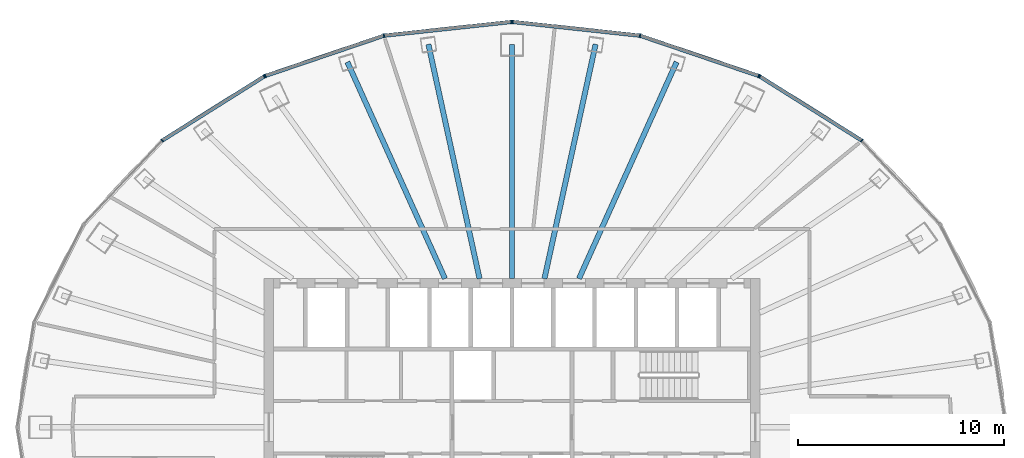
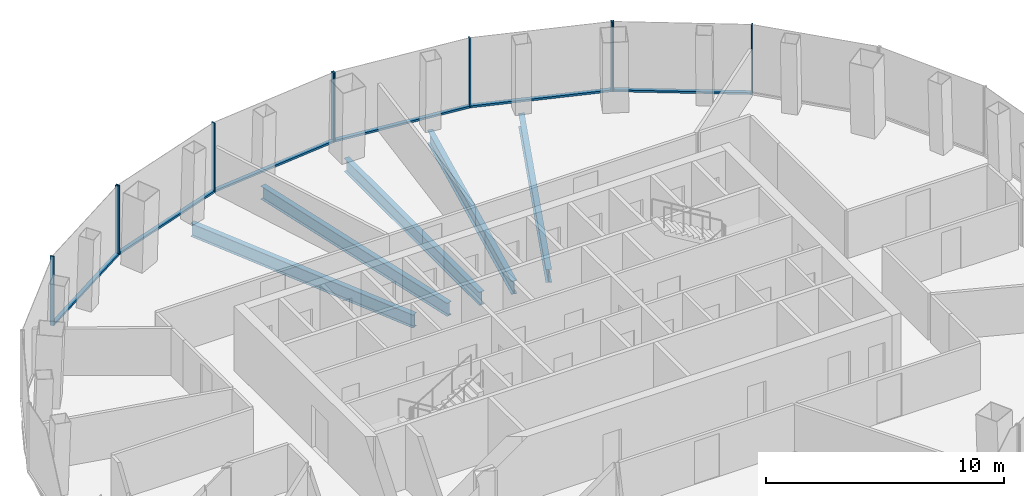
# One storey, part 5 of 10: 16 members, 5 beams, 4 elements without a shape of their own.
"""IFC4 building model written with IfcOpenShell, lengths in metres."""

from ifc_helpers import new_model, si_unit, direction, frame, origin, origin_2d, place, context, subcontext, project, spatial, rectangle, i_section, extrude, material, layer, layer_set, material_profile, profile_set, type_object, element, aggregate, save


model = new_model("IFC4")

# Units and contexts
model_context = context("Model", 3, precision=1e-05, world=origin(), true_north=direction((0.0, 1.0)))
body_context = subcontext(model_context, "Body", "Model", "MODEL_VIEW")
ifc_project = project(units=[si_unit("LENGTHUNIT", "METRE"), si_unit("AREAUNIT", "SQUARE_METRE"), si_unit("VOLUMEUNIT", "CUBIC_METRE"), si_unit("PLANEANGLEUNIT", "RADIAN"), si_unit("MASSUNIT", "GRAM", prefix="KILO")], contexts=[model_context])

# Site, building, storey
site_placement = place(None, origin())
site = spatial("IfcSite", under=ifc_project, at=site_placement, CompositionType="ELEMENT")
building_placement = place(site_placement, origin())
building = spatial("IfcBuilding", under=site, at=building_placement, Name="Siaravel Broadcast Tower", CompositionType="ELEMENT")
storey_placement = place(building_placement, frame((0.0, 0.0, 160.800048828125)))
storey = spatial("IfcBuildingStorey", under=building, at=storey_placement, Name="L38", CompositionType="ELEMENT", Elevation=160.800048828125)

# Beams
ifc_material_1 = material(Name="Steel S355", Category="steel")
ifc_material_profile_1 = material_profile(ifc_material_1, i_section(OverallWidth=0.2529296875, OverallDepth=0.677978515625, WebThickness=0.01171875, FlangeThickness=0.01611328125, FilletRadius=0.01513671875, at=origin_2d()))
ifc_profile_set_1 = profile_set([ifc_material_profile_1], Name="Steel S355")
beam_type = type_object("IfcBeamType", Name="BM-UB 686x254x125", PredefinedType="BEAM", material=ifc_profile_set_1)
beam_1_placement = place(storey_placement, frame((7.971923828125, 17.688720703125, -0.489013671875), z_axis=(-0.410878148, -0.911690269, 0.0), x_axis=(0.911690269, -0.410878148, 0.0)))
element("IfcBeam", 1, at=beam_1_placement, inside=storey, type_object=beam_type, Name="Radial beam RB08", PredefinedType="BEAM", context=body_context, shape_type="SweptSolid", body=[
    extrude(i_section(OverallWidth=0.2529296875, OverallDepth=0.677978515625, WebThickness=0.01171875, FlangeThickness=0.01611328125, FilletRadius=0.01513671875, at=origin_2d()), origin(), (0.0, 0.0, 1.0), 11.504638671875),
])
beam_2_placement = place(storey_placement, frame((4.04931640625, 18.549560546875, -0.489013671875), z_axis=(-0.213270662, -0.976993155, 0.0), x_axis=(0.976993155, -0.213270662, 0.0)))
element("IfcBeam", 2, at=beam_2_placement, inside=storey, type_object=beam_type, Name="Radial beam RB09", PredefinedType="BEAM", context=body_context, shape_type="SweptSolid", body=[
    extrude(i_section(OverallWidth=0.2529296875, OverallDepth=0.677978515625, WebThickness=0.01171875, FlangeThickness=0.01611328125, FilletRadius=0.01513671875, at=origin_2d()), origin(), (0.0, 0.0, 1.0), 11.616943359375),
])
beam_3_placement = place(storey_placement, frame((0.0, 18.539794921875, -0.489013671875), z_axis=(0.0, -1.0, 0.0), x_axis=(1.0, 0.0, 0.0)))
element("IfcBeam", 3, at=beam_3_placement, inside=storey, type_object=beam_type, Name="Radial beam RB10", PredefinedType="BEAM", context=body_context, shape_type="SweptSolid", body=[
    extrude(i_section(OverallWidth=0.2529296875, OverallDepth=0.677978515625, WebThickness=0.01171875, FlangeThickness=0.01611328125, FilletRadius=0.01513671875, at=origin_2d()), origin(), (0.0, 0.0, 1.0), 11.33984375),
])
beam_4_placement = place(storey_placement, frame((-4.04931640625, 18.549560546875, -0.489013671875), z_axis=(0.213270662, -0.976993155, 0.0), x_axis=(0.976993155, 0.213270662, 0.0)))
element("IfcBeam", 4, at=beam_4_placement, inside=storey, type_object=beam_type, Name="Radial beam RB11", PredefinedType="BEAM", context=body_context, shape_type="SweptSolid", body=[
    extrude(i_section(OverallWidth=0.2529296875, OverallDepth=0.677978515625, WebThickness=0.01171875, FlangeThickness=0.01611328125, FilletRadius=0.01513671875, at=origin_2d()), origin(), (0.0, 0.0, 1.0), 11.616943359375),
])
beam_5_placement = place(storey_placement, frame((-7.971923828125, 17.688720703125, -0.489013671875), z_axis=(0.410878148, -0.911690269, 0.0), x_axis=(0.911690269, 0.410878148, 0.0)))
element("IfcBeam", 5, at=beam_5_placement, inside=storey, type_object=beam_type, Name="Radial beam RB12", PredefinedType="BEAM", context=body_context, shape_type="SweptSolid", body=[
    extrude(i_section(OverallWidth=0.2529296875, OverallDepth=0.677978515625, WebThickness=0.01171875, FlangeThickness=0.01611328125, FilletRadius=0.01513671875, at=origin_2d()), origin(), (0.0, 0.0, 1.0), 11.504638671875),
])

# Curtain wall, members
ifc_material_2 = material(Name="Aluminium 6063-T6", Category="aluminium")
ifc_layer = layer(ifc_material_2, 0.179931640625)
ifc_layer_set = layer_set([ifc_layer], Name="Aluminium 6063-T6")
curtain_wall_type = type_object("IfcCurtainWallType", Name="Unitised curtain wall, zone 3", PredefinedType="NOTDEFINED", material=ifc_layer_set)
curtain_wall_1_placement = place(storey_placement, origin())
curtain_wall_1 = element("IfcCurtainWall", 6, at=curtain_wall_1_placement, inside=storey, type_object=curtain_wall_type, Name="L38 Unitised curtain wall, zone 3 02", PredefinedType="NOTDEFINED")
ifc_material_profile_2 = material_profile(ifc_material_2, rectangle(XDim=0.179931640625, YDim=0.06005859375, at=origin_2d()))
ifc_profile_set_2 = profile_set([ifc_material_profile_2], Name="Aluminium 6063-T6")
member_type_1 = type_object("IfcMemberType", Name="CW-Z3 mullion", PredefinedType="MULLION", material=ifc_profile_set_2)
member_1_placement = place(storey_placement, frame((16.940673828125, 13.888916015625, 0.0), z_axis=(0.0, 0.0, 1.0), x_axis=(-0.63621963, -0.771507993, 0.0)))
member_1 = element("IfcMember", 7, at=member_1_placement, type_object=member_type_1, Name="CW-Z3 mullion 2", PredefinedType="MULLION", context=body_context, shape_type="SweptSolid", body=[
    extrude(rectangle(XDim=0.179931640625, YDim=0.06005859375, at=origin_2d()), origin(), (0.0, 0.0, 1.0), 3.550048828125),
])
member_2_placement = place(storey_placement, frame((12.003173828125, 16.9921875, 0.0), z_axis=(0.0, 0.0, 1.0), x_axis=(-0.532150259, -0.846649928, 0.0)))
member_2 = element("IfcMember", 8, at=member_2_placement, type_object=member_type_1, Name="CW-Z3 mullion 3", PredefinedType="MULLION", context=body_context, shape_type="SweptSolid", body=[
    extrude(rectangle(XDim=0.179931640625, YDim=0.06005859375, at=origin_2d()), origin(), (0.0, 0.0, 1.0), 3.550048828125),
])

curtain_wall_2_placement = place(storey_placement, origin())
curtain_wall_2 = element("IfcCurtainWall", 9, at=curtain_wall_2_placement, inside=storey, type_object=curtain_wall_type, Name="L38 Unitised curtain wall, zone 3 03", PredefinedType="NOTDEFINED")
member_3_placement = place(storey_placement, frame((11.949462890625, 17.017822265625, 0.0), z_axis=(0.0, 0.0, 1.0), x_axis=(-0.321301405, -0.946976983, 0.0)))
member_3 = element("IfcMember", 10, at=member_3_placement, type_object=member_type_1, Name="CW-Z3 mullion 1", PredefinedType="MULLION", context=body_context, shape_type="SweptSolid", body=[
    extrude(rectangle(XDim=0.179931640625, YDim=0.06005859375, at=origin_2d()), origin(), (0.0, 0.0, 1.0), 3.550048828125),
])
member_4_placement = place(storey_placement, frame((6.19970703125, 18.96875, 0.0), z_axis=(0.0, 0.0, 1.0), x_axis=(-0.215558612, -0.976490903, 0.0)))
member_4 = element("IfcMember", 11, at=member_4_placement, type_object=member_type_1, Name="CW-Z3 mullion 2", PredefinedType="MULLION", context=body_context, shape_type="SweptSolid", body=[
    extrude(rectangle(XDim=0.179931640625, YDim=0.06005859375, at=origin_2d()), origin(), (0.0, 0.0, 1.0), 3.550048828125),
])
member_5_placement = place(storey_placement, frame((0.02978515625, 19.634033203125, 0.0), z_axis=(0.0, 0.0, 1.0), x_axis=(-0.107217776, -0.99423556, 0.0)))
member_5 = element("IfcMember", 12, at=member_5_placement, type_object=member_type_1, Name="CW-Z3 mullion 3", PredefinedType="MULLION", context=body_context, shape_type="SweptSolid", body=[
    extrude(rectangle(XDim=0.179931640625, YDim=0.06005859375, at=origin_2d()), origin(), (0.0, 0.0, 1.0), 3.550048828125),
])

curtain_wall_3_placement = place(storey_placement, origin())
curtain_wall_3 = element("IfcCurtainWall", 13, at=curtain_wall_3_placement, inside=storey, type_object=curtain_wall_type, Name="L38 Unitised curtain wall, zone 3 04", PredefinedType="NOTDEFINED")
member_6_placement = place(storey_placement, frame((-0.02978515625, 19.634033203125, 0.0), z_axis=(0.0, 0.0, 1.0), x_axis=(0.107217776, -0.99423556, 0.0)))
member_6 = element("IfcMember", 14, at=member_6_placement, type_object=member_type_1, Name="CW-Z3 mullion 1", PredefinedType="MULLION", context=body_context, shape_type="SweptSolid", body=[
    extrude(rectangle(XDim=0.179931640625, YDim=0.06005859375, at=origin_2d()), origin(), (0.0, 0.0, 1.0), 3.550048828125),
])
member_7_placement = place(storey_placement, frame((-6.19970703125, 18.96875, 0.0), z_axis=(0.0, 0.0, 1.0), x_axis=(0.215558612, -0.976490903, 0.0)))
member_7 = element("IfcMember", 15, at=member_7_placement, type_object=member_type_1, Name="CW-Z3 mullion 2", PredefinedType="MULLION", context=body_context, shape_type="SweptSolid", body=[
    extrude(rectangle(XDim=0.179931640625, YDim=0.06005859375, at=origin_2d()), origin(), (0.0, 0.0, 1.0), 3.550048828125),
])
member_8_placement = place(storey_placement, frame((-11.949462890625, 17.017822265625, 0.0), z_axis=(0.0, 0.0, 1.0), x_axis=(0.321301405, -0.946976983, 0.0)))
member_8 = element("IfcMember", 16, at=member_8_placement, type_object=member_type_1, Name="CW-Z3 mullion 3", PredefinedType="MULLION", context=body_context, shape_type="SweptSolid", body=[
    extrude(rectangle(XDim=0.179931640625, YDim=0.06005859375, at=origin_2d()), origin(), (0.0, 0.0, 1.0), 3.550048828125),
])

curtain_wall_4_placement = place(storey_placement, origin())
curtain_wall_4 = element("IfcCurtainWall", 17, at=curtain_wall_4_placement, inside=storey, type_object=curtain_wall_type, Name="L38 Unitised curtain wall, zone 3 05", PredefinedType="NOTDEFINED")
member_9_placement = place(storey_placement, frame((-12.003173828125, 16.9921875, 0.0), z_axis=(0.0, 0.0, 1.0), x_axis=(0.532150259, -0.846649928, 0.0)))
member_9 = element("IfcMember", 18, at=member_9_placement, type_object=member_type_1, Name="CW-Z3 mullion 1", PredefinedType="MULLION", context=body_context, shape_type="SweptSolid", body=[
    extrude(rectangle(XDim=0.179931640625, YDim=0.06005859375, at=origin_2d()), origin(), (0.0, 0.0, 1.0), 3.550048828125),
])
member_10_placement = place(storey_placement, frame((-16.940673828125, 13.888916015625, 0.0), z_axis=(0.0, 0.0, 1.0), x_axis=(0.63621963, -0.771507993, 0.0)))
member_10 = element("IfcMember", 19, at=member_10_placement, type_object=member_type_1, Name="CW-Z3 mullion 2", PredefinedType="MULLION", context=body_context, shape_type="SweptSolid", body=[
    extrude(rectangle(XDim=0.179931640625, YDim=0.06005859375, at=origin_2d()), origin(), (0.0, 0.0, 1.0), 3.550048828125),
])

# Member
ifc_material_profile_3 = material_profile(ifc_material_2, rectangle(XDim=0.179931640625, YDim=0.10009765625, at=origin_2d()))
ifc_profile_set_3 = profile_set([ifc_material_profile_3], Name="Aluminium 6063-T6")
member_type_2 = type_object("IfcMemberType", Name="CW-Z3 transom", PredefinedType="USERDEFINED", material=ifc_profile_set_3)
member_11_placement = place(storey_placement, frame((16.915283203125, 13.905029296875, 0.050048828125), z_axis=(-0.846664863, 0.532126498, 0.0), x_axis=(-0.532126498, -0.846664863, 0.0)))
member_11 = element("IfcMember", 20, at=member_11_placement, type_object=member_type_2, Name="CW-Z3 transom 2", ObjectType="TRANSOM", PredefinedType="USERDEFINED", context=body_context, shape_type="SweptSolid", body=[
    extrude(rectangle(XDim=0.179931640625, YDim=0.10009765625, at=origin_2d()), origin(), (0.0, 0.0, 1.0), 5.771728515625),
])

aggregate(curtain_wall_1, [member_1, member_2, member_11])

member_12_placement = place(storey_placement, frame((11.9208984375, 17.027587890625, 0.050048828125), z_axis=(-0.946980245, 0.321291792, 0.0), x_axis=(-0.321291792, -0.946980245, 0.0)))
member_12 = element("IfcMember", 21, at=member_12_placement, type_object=member_type_2, Name="CW-Z3 transom 1", ObjectType="TRANSOM", PredefinedType="USERDEFINED", context=body_context, shape_type="SweptSolid", body=[
    extrude(rectangle(XDim=0.179931640625, YDim=0.10009765625, at=origin_2d()), origin(), (0.0, 0.0, 1.0), 6.01123046875),
])

member_13_placement = place(storey_placement, frame((6.169921875, 18.971923828125, 0.050048828125), z_axis=(-0.994235123, 0.107221824, 0.0), x_axis=(-0.107221824, -0.994235123, 0.0)))
member_13 = element("IfcMember", 22, at=member_13_placement, type_object=member_type_2, Name="CW-Z3 transom 2", ObjectType="TRANSOM", PredefinedType="USERDEFINED", context=body_context, shape_type="SweptSolid", body=[
    extrude(rectangle(XDim=0.179931640625, YDim=0.10009765625, at=origin_2d()), origin(), (0.0, 0.0, 1.0), 6.1455078125),
])

aggregate(curtain_wall_2, [member_3, member_4, member_5, member_12, member_13])

member_14_placement = place(storey_placement, frame((-0.059814453125, 19.630859375, 0.050048828125), z_axis=(-0.994235123, -0.107221824, 0.0), x_axis=(0.107221824, -0.994235123, 0.0)))
member_14 = element("IfcMember", 23, at=member_14_placement, type_object=member_type_2, Name="CW-Z3 transom 1", ObjectType="TRANSOM", PredefinedType="USERDEFINED", context=body_context, shape_type="SweptSolid", body=[
    extrude(rectangle(XDim=0.179931640625, YDim=0.10009765625, at=origin_2d()), origin(), (0.0, 0.0, 1.0), 6.1455078125),
])

member_15_placement = place(storey_placement, frame((-6.228271484375, 18.958984375, 0.050048828125), z_axis=(-0.946980245, -0.321291792, 0.0), x_axis=(0.321291792, -0.946980245, 0.0)))
member_15 = element("IfcMember", 24, at=member_15_placement, type_object=member_type_2, Name="CW-Z3 transom 2", ObjectType="TRANSOM", PredefinedType="USERDEFINED", context=body_context, shape_type="SweptSolid", body=[
    extrude(rectangle(XDim=0.179931640625, YDim=0.10009765625, at=origin_2d()), origin(), (0.0, 0.0, 1.0), 6.01123046875),
])

aggregate(curtain_wall_3, [member_6, member_7, member_8, member_14, member_15])

member_16_placement = place(storey_placement, frame((-12.028564453125, 16.976318359375, 0.050048828125), z_axis=(-0.846664863, -0.532126498, 0.0), x_axis=(0.532126498, -0.846664863, 0.0)))
member_16 = element("IfcMember", 25, at=member_16_placement, type_object=member_type_2, Name="CW-Z3 transom 1", ObjectType="TRANSOM", PredefinedType="USERDEFINED", context=body_context, shape_type="SweptSolid", body=[
    extrude(rectangle(XDim=0.179931640625, YDim=0.10009765625, at=origin_2d()), origin(), (0.0, 0.0, 1.0), 5.771728515625),
])

aggregate(curtain_wall_4, [member_9, member_10, member_16])

save(model, "model.ifc")
